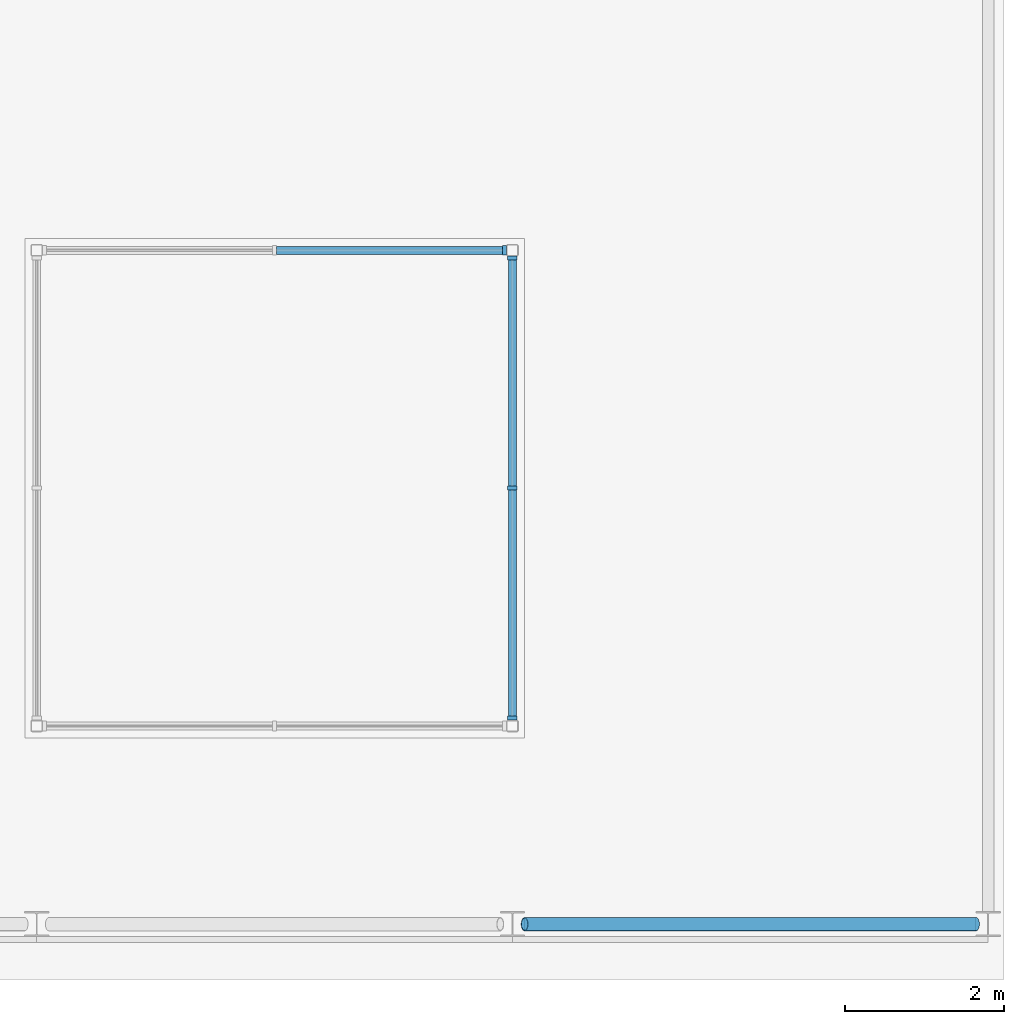
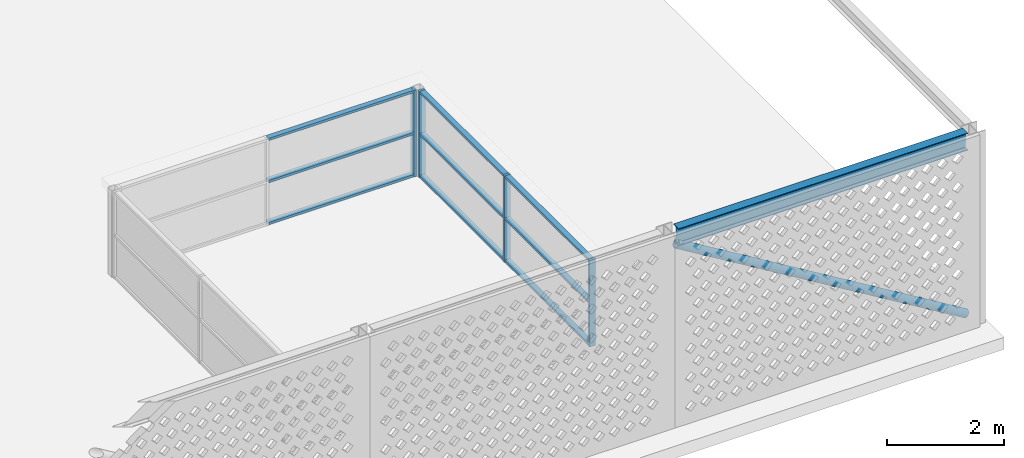
# One storey, part 6 of 10: 14 members, 1 beam, 2 elements without a shape of their own.
"""IFC4 building model written with IfcOpenShell, lengths in metres."""

from ifc_helpers import new_model, si_unit, direction, frame, origin, origin_2d, place, context, subcontext, project, spatial, rectangle, hollow_circle, i_section, extrude, source, transform, mapped, material, layer, layer_set, material_profile, profile_set, type_object, element, aggregate, save


model = new_model("IFC4")

# Units and contexts
model_context = context("Model", 3, precision=1e-05, world=origin(), true_north=direction((0.0, 1.0)))
body_context = subcontext(model_context, "Body", "Model", "MODEL_VIEW")
ifc_project = project(units=[si_unit("LENGTHUNIT", "METRE"), si_unit("AREAUNIT", "SQUARE_METRE"), si_unit("VOLUMEUNIT", "CUBIC_METRE"), si_unit("PLANEANGLEUNIT", "RADIAN"), si_unit("MASSUNIT", "GRAM", prefix="KILO")], contexts=[model_context])

# Site, building, storey
site_placement = place(None, origin())
site = spatial("IfcSite", under=ifc_project, at=site_placement, CompositionType="ELEMENT")
building_placement = place(site_placement, origin())
building = spatial("IfcBuilding", under=site, at=building_placement, Name="Poui Terraces", CompositionType="ELEMENT")
storey_placement = place(building_placement, frame((0.0, 0.0, 292.199951171875)))
storey = spatial("IfcBuildingStorey", under=building, at=storey_placement, Name="ROOF", CompositionType="ELEMENT", Elevation=292.199951171875)

# Curtain wall, member
ifc_material_1 = material(Name="Clear glass", Category="glass")
ifc_layer = layer(ifc_material_1, 0.1201171875)
ifc_layer_set = layer_set([ifc_layer], Name="Clear glass")
curtain_wall_type = type_object("IfcCurtainWallType", Name="CURTAIN WALL CW-F LANTERN GLAZING", PredefinedType="NOTDEFINED", material=ifc_layer_set)
curtain_wall_1_placement = place(storey_placement, origin())
curtain_wall_1 = element("IfcCurtainWall", 1, at=curtain_wall_1_placement, inside=storey, type_object=curtain_wall_type, Name="CW-F LANTERN GLAZING", PredefinedType="NOTDEFINED")
ifc_material_2 = material(Name="Aluminium frame", Category="aluminium")
ifc_material_profile_1 = material_profile(ifc_material_2, rectangle(XDim=0.1201171875, YDim=0.050048828125, at=origin_2d()), Name="CW-F MULLION 50X120")
ifc_profile_set_1 = profile_set([ifc_material_profile_1], Name="Aluminium frame")
member_type_1 = type_object("IfcMemberType", Name="CW-F MULLION 50X120", PredefinedType="MULLION", material=ifc_profile_set_1)
member_1_placement = place(storey_placement, frame((41.89990234375, 9.0, 0.0), z_axis=(0.0, 0.0, 1.0), x_axis=(0.0, -1.0, 0.0)))
member_1 = element("IfcMember", 2, at=member_1_placement, type_object=member_type_1, Name="CW-F mullion 1", PredefinedType="MULLION", context=body_context, shape_type="SweptSolid", body=[
    extrude(rectangle(XDim=0.1201171875, YDim=0.050048828125, at=origin_2d()), origin(), (0.0, 0.0, 1.0), 1.800048828125),
])

# Curtain wall, members
curtain_wall_2_placement = place(storey_placement, origin())
curtain_wall_2 = element("IfcCurtainWall", 3, at=curtain_wall_2_placement, inside=storey, type_object=curtain_wall_type, Name="CW-F LANTERN GLAZING", PredefinedType="NOTDEFINED")
member_2_placement = place(storey_placement, frame((42.0, 3.10009765625, 0.0), z_axis=(0.0, 0.0, 1.0), x_axis=(-1.0, 0.0, 0.0)))
member_2 = element("IfcMember", 4, at=member_2_placement, type_object=member_type_1, Name="CW-F mullion 1", PredefinedType="MULLION", context=body_context, shape_type="SweptSolid", body=[
    extrude(rectangle(XDim=0.1201171875, YDim=0.050048828125, at=origin_2d()), origin(), (0.0, 0.0, 1.0), 1.800048828125),
])
member_3_placement = place(storey_placement, frame((42.0, 6.0, 0.0), z_axis=(0.0, 0.0, 1.0), x_axis=(-1.0, 0.0, 0.0)))
member_3 = element("IfcMember", 5, at=member_3_placement, type_object=member_type_1, Name="CW-F mullion 2", PredefinedType="MULLION", context=body_context, shape_type="SweptSolid", body=[
    extrude(rectangle(XDim=0.1201171875, YDim=0.050048828125, at=origin_2d()), origin(), (0.0, 0.0, 1.0), 1.800048828125),
])
member_4_placement = place(storey_placement, frame((42.0, 8.89990234375, 0.0), z_axis=(0.0, 0.0, 1.0), x_axis=(-1.0, 0.0, 0.0)))
member_4 = element("IfcMember", 6, at=member_4_placement, type_object=member_type_1, Name="CW-F mullion 3", PredefinedType="MULLION", context=body_context, shape_type="SweptSolid", body=[
    extrude(rectangle(XDim=0.1201171875, YDim=0.050048828125, at=origin_2d()), origin(), (0.0, 0.0, 1.0), 1.800048828125),
])

# Member
ifc_material_profile_2 = material_profile(ifc_material_2, rectangle(XDim=0.10009765625, YDim=0.050048828125, at=origin_2d()), Name="CW-F TRANSOM 50X100")
ifc_profile_set_2 = profile_set([ifc_material_profile_2], Name="Aluminium frame")
member_type_2 = type_object("IfcMemberType", Name="CW-F TRANSOM 50X100", PredefinedType="USERDEFINED", material=ifc_profile_set_2)
member_5_placement = place(storey_placement, frame((41.875, 9.0, 0.025146484375), z_axis=(-1.0, 0.0, 0.0), x_axis=(0.0, -1.0, 0.0)))
member_5 = element("IfcMember", 7, at=member_5_placement, type_object=member_type_2, Name="CW-F transom 1.1", ObjectType="TRANSOM", PredefinedType="USERDEFINED", context=body_context, shape_type="SweptSolid", body=[
    extrude(rectangle(XDim=0.10009765625, YDim=0.050048828125, at=origin_2d()), origin(), (0.0, 0.0, 1.0), 2.85009765625),
])

member_6_placement = place(storey_placement, frame((41.875, 9.0, 0.900146484375), z_axis=(-1.0, 0.0, 0.0), x_axis=(0.0, -1.0, 0.0)))
member_6 = element("IfcMember", 8, at=member_6_placement, type_object=member_type_2, Name="CW-F transom 1.2", ObjectType="TRANSOM", PredefinedType="USERDEFINED", context=body_context, shape_type="SweptSolid", body=[
    extrude(rectangle(XDim=0.10009765625, YDim=0.050048828125, at=origin_2d()), origin(), (0.0, 0.0, 1.0), 2.85009765625),
])

member_7_placement = place(storey_placement, frame((41.875, 9.0, 1.775146484375), z_axis=(-1.0, 0.0, 0.0), x_axis=(0.0, -1.0, 0.0)))
member_7 = element("IfcMember", 9, at=member_7_placement, type_object=member_type_2, Name="CW-F transom 1.3", ObjectType="TRANSOM", PredefinedType="USERDEFINED", context=body_context, shape_type="SweptSolid", body=[
    extrude(rectangle(XDim=0.10009765625, YDim=0.050048828125, at=origin_2d()), origin(), (0.0, 0.0, 1.0), 2.85009765625),
])

aggregate(curtain_wall_1, [member_1, member_5, member_6, member_7])

member_8_placement = place(storey_placement, frame((42.0, 3.125, 0.025146484375), z_axis=(0.0, 1.0, 0.0), x_axis=(-1.0, 0.0, 0.0)))
member_8 = element("IfcMember", 10, at=member_8_placement, type_object=member_type_2, Name="CW-F transom 1.1", ObjectType="TRANSOM", PredefinedType="USERDEFINED", context=body_context, shape_type="SweptSolid", body=[
    extrude(rectangle(XDim=0.10009765625, YDim=0.050048828125, at=origin_2d()), origin(), (0.0, 0.0, 1.0), 2.85009765625),
])

member_9_placement = place(storey_placement, frame((42.0, 3.125, 0.900146484375), z_axis=(0.0, 1.0, 0.0), x_axis=(-1.0, 0.0, 0.0)))
member_9 = element("IfcMember", 11, at=member_9_placement, type_object=member_type_2, Name="CW-F transom 1.2", ObjectType="TRANSOM", PredefinedType="USERDEFINED", context=body_context, shape_type="SweptSolid", body=[
    extrude(rectangle(XDim=0.10009765625, YDim=0.050048828125, at=origin_2d()), origin(), (0.0, 0.0, 1.0), 2.85009765625),
])

member_10_placement = place(storey_placement, frame((42.0, 3.125, 1.775146484375), z_axis=(0.0, 1.0, 0.0), x_axis=(-1.0, 0.0, 0.0)))
member_10 = element("IfcMember", 12, at=member_10_placement, type_object=member_type_2, Name="CW-F transom 1.3", ObjectType="TRANSOM", PredefinedType="USERDEFINED", context=body_context, shape_type="SweptSolid", body=[
    extrude(rectangle(XDim=0.10009765625, YDim=0.050048828125, at=origin_2d()), origin(), (0.0, 0.0, 1.0), 2.85009765625),
])

member_11_placement = place(storey_placement, frame((42.0, 6.02490234375, 0.025146484375), z_axis=(0.0, 1.0, 0.0), x_axis=(-1.0, 0.0, 0.0)))
member_11 = element("IfcMember", 13, at=member_11_placement, type_object=member_type_2, Name="CW-F transom 2.1", ObjectType="TRANSOM", PredefinedType="USERDEFINED", context=body_context, shape_type="SweptSolid", body=[
    extrude(rectangle(XDim=0.10009765625, YDim=0.050048828125, at=origin_2d()), origin(), (0.0, 0.0, 1.0), 2.85009765625),
])

member_12_placement = place(storey_placement, frame((42.0, 6.02490234375, 0.900146484375), z_axis=(0.0, 1.0, 0.0), x_axis=(-1.0, 0.0, 0.0)))
member_12 = element("IfcMember", 14, at=member_12_placement, type_object=member_type_2, Name="CW-F transom 2.2", ObjectType="TRANSOM", PredefinedType="USERDEFINED", context=body_context, shape_type="SweptSolid", body=[
    extrude(rectangle(XDim=0.10009765625, YDim=0.050048828125, at=origin_2d()), origin(), (0.0, 0.0, 1.0), 2.85009765625),
])

member_13_placement = place(storey_placement, frame((42.0, 6.02490234375, 1.775146484375), z_axis=(0.0, 1.0, 0.0), x_axis=(-1.0, 0.0, 0.0)))
member_13 = element("IfcMember", 15, at=member_13_placement, type_object=member_type_2, Name="CW-F transom 2.3", ObjectType="TRANSOM", PredefinedType="USERDEFINED", context=body_context, shape_type="SweptSolid", body=[
    extrude(rectangle(XDim=0.10009765625, YDim=0.050048828125, at=origin_2d()), origin(), (0.0, 0.0, 1.0), 2.85009765625),
])

aggregate(curtain_wall_2, [member_2, member_3, member_4, member_8, member_9, member_10, member_11, member_12, member_13])

ifc_material_3 = material(Name="Steel Grade 350 MPa", Category="steel")
ifc_material_profile_3 = material_profile(ifc_material_3, hollow_circle(Radius=0.084228515625, WallThickness=0.007080078125, at=origin_2d()), Name="168.3x7.1 CHS")
ifc_profile_set_3 = profile_set([ifc_material_profile_3], Name="Steel Grade 350 MPa")
member_type_3 = type_object("IfcMemberType", Name="SCREEN FRAME BRACE 168.3x7.1 CHS", PredefinedType="BRACE", material=ifc_profile_set_3)
member_14_placement = place(storey_placement, frame((47.846435546875, 0.5, 0.199951171875), z_axis=(-0.855784886129, 0.0, 0.51733183613), x_axis=(0.0, -1.0, 0.0)))
element("IfcMember", 16, at=member_14_placement, inside=storey, type_object=member_type_3, Name="SCREEN FRAME BRACE S4", PredefinedType="BRACE", context=body_context, shape_type="SweptSolid", body=[
    extrude(hollow_circle(Radius=0.084228515625, WallThickness=0.007080078125, at=origin_2d()), origin(), (0.0, 0.0, 1.0), 6.65234375),
])

# Beam
ifc_material_4 = material(Name="Steel Grade 300 MPa", Category="steel")
ifc_material_profile_4 = material_profile(ifc_material_4, i_section(OverallWidth=0.172119140625, OverallDepth=0.358642578125, WebThickness=0.008056640625, FlangeThickness=0.012939453125, FilletRadius=0.011474609375, at=origin_2d()), Name="360UB56.7")
ifc_profile_set_4 = profile_set([ifc_material_profile_4], Name="Steel Grade 300 MPa")
beam_type = type_object("IfcBeamType", Name="SCREEN FRAME EDGE BEAM 360UB56.7", PredefinedType="BEAM", material=ifc_profile_set_4)
shared_shape = source(origin(), body_context, "Body", "SweptSolid", [
    extrude(i_section(OverallWidth=0.172119140625, OverallDepth=0.358642578125, WebThickness=0.008056640625, FlangeThickness=0.012939453125, FilletRadius=0.011474609375, at=origin_2d()), origin(), (0.0, 0.0, 1.0), 5.69287109375),
])
beam_placement = place(storey_placement, frame((42.153564453125, 0.5, 3.82080078125), z_axis=(1.0, 0.0, 0.0), x_axis=(0.0, 1.0, 0.0)))
element("IfcBeam", 17, at=beam_placement, inside=storey, type_object=beam_type, Name="SCREEN FRAME EDGE BEAM S4", PredefinedType="BEAM", context=body_context, shape_type="MappedRepresentation", body=[
    mapped(shared_shape, transform((0.0, 0.0, 0.0))),
])

save(model, "model.ifc")
